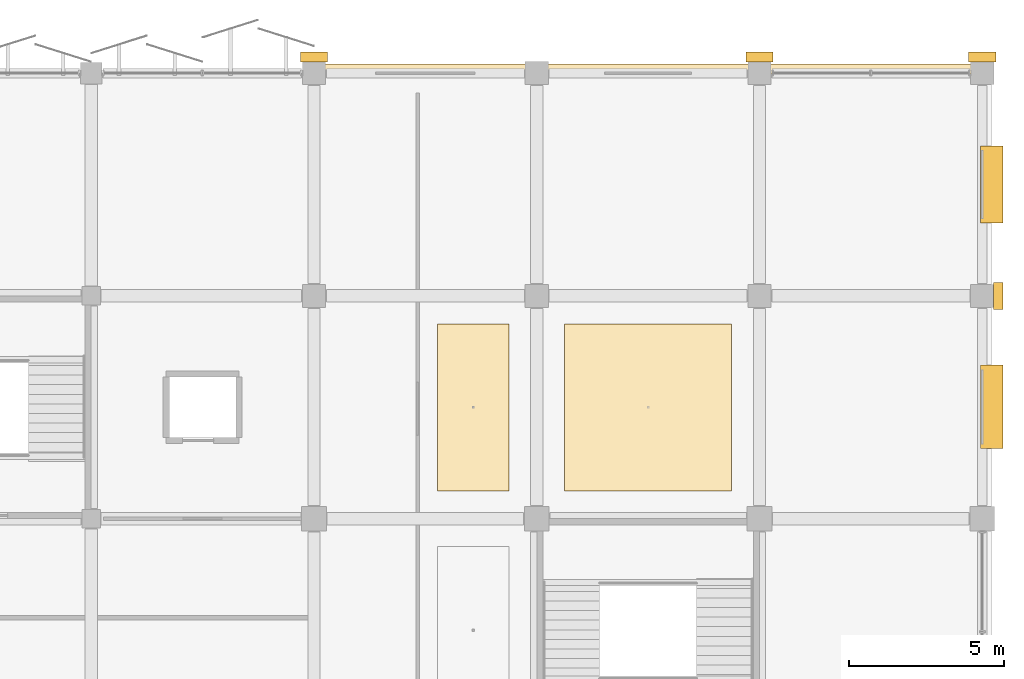
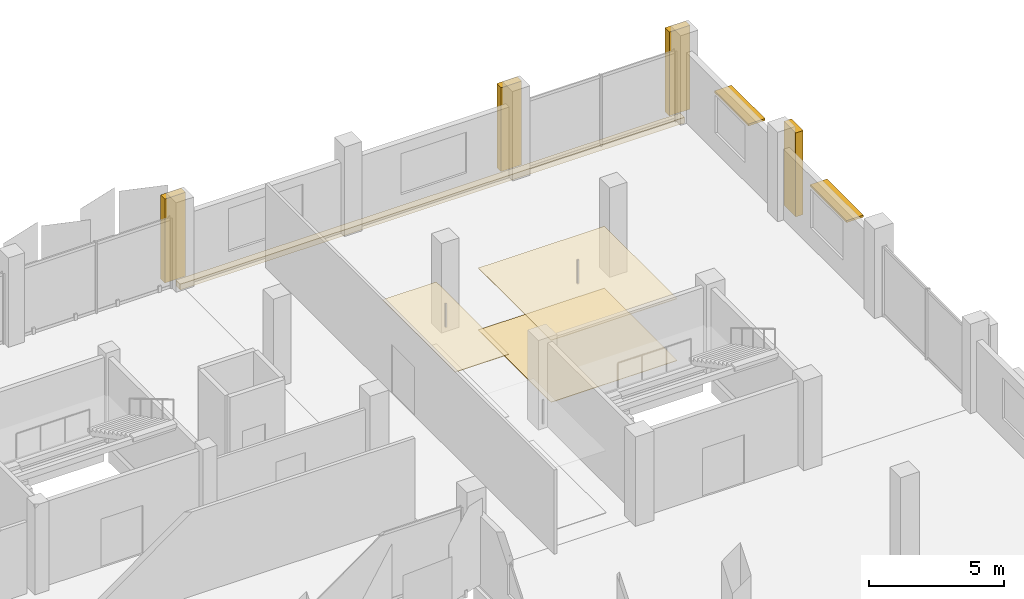
# One storey, part 107 of 107: 8 coverings, 2 shading devices.
"""IFC4 building model written with IfcOpenShell, lengths in metres."""

import ifcopenshell
import ifcopenshell.guid

model = None  # the IFC model being written
_history = None  # IfcOwnerHistory: only IFC2X3 demands one
_inside = {}  # id of a spatial element -> (the spatial element, [elements in it])
_under = {}  # id of a project, library or spatial element -> (it, [spatial elements below it])
_declared = {}  # id of a project -> (the project, [libraries it declares])
_typed = {}  # id of a type object -> (the type object, [elements of that type])
_made_of = {}  # id of a material, layer set ... -> (it, [elements and type objects made of it])


def new_model(schema):
    """Start an empty IFC model of exactly this schema.

    Asked for "IFC4X3", IfcOpenShell would pick the latest addendum, in which some entities
    have other attributes; the version numbers below select the first issue.
    IFC2X3 requires an IfcOwnerHistory on every rooted entity: one is made here for all.
    """
    global model, _history
    if schema == "IFC4X3":
        model = ifcopenshell.file(schema_version=(4, 3, 0, 0))
    else:
        model = ifcopenshell.file(schema=schema)
    _inside.clear()
    _under.clear()
    _declared.clear()
    _typed.clear()
    _made_of.clear()
    _history = None
    if model.schema == "IFC2X3":
        org = make("IfcOrganization", Name="unknown")
        user = make(
            "IfcPersonAndOrganization",
            ThePerson=make("IfcPerson", FamilyName="unknown"),
            TheOrganization=org,
        )
        app = make(
            "IfcApplication",
            ApplicationDeveloper=org,
            Version="unknown",
            ApplicationFullName="unknown",
            ApplicationIdentifier="unknown",
        )
        _history = make(
            "IfcOwnerHistory",
            OwningUser=user,
            OwningApplication=app,
            ChangeAction="ADDED",
            CreationDate=0,
        )
    return model


def make(cls, **values):
    """One entity of the class cls with the attributes given. An attribute that is None is left unset."""
    return model.create_entity(
        cls, **{name: value for name, value in values.items() if value is not None}
    )


def rooted(cls, **values):
    """An entity with a GlobalId (a new one), such as an element, a storey or a relation."""
    return make(cls, GlobalId=ifcopenshell.guid.new(), OwnerHistory=_history, **values)


def si_unit(unit_type, name, prefix=None):
    """IfcSIUnit, for example si_unit("LENGTHUNIT", "METRE", prefix="MILLI")."""
    return make("IfcSIUnit", UnitType=unit_type, Prefix=prefix, Name=name)


def assignment(units):
    """IfcUnitAssignment: the units of a project."""
    return None if units is None else make("IfcUnitAssignment", Units=units)


def point(xyz):
    """IfcCartesianPoint."""
    return None if xyz is None else make("IfcCartesianPoint", Coordinates=xyz)


def direction(xyz):
    """IfcDirection."""
    return None if xyz is None else make("IfcDirection", DirectionRatios=xyz)


def frame(location, z_axis=None, x_axis=None):
    """IfcAxis2Placement3D, a coordinate frame: its origin and axes. An axis left out is left unset."""
    return make(
        "IfcAxis2Placement3D",
        Location=point(location),
        Axis=direction(z_axis),
        RefDirection=direction(x_axis),
    )


def frame_2d(location, x_axis=None):
    """IfcAxis2Placement2D, a coordinate frame in the plane: its origin and x axis."""
    return make(
        "IfcAxis2Placement2D", Location=point(location), RefDirection=direction(x_axis)
    )


def origin():
    """The frame at (0, 0, 0) with its axes left unset."""
    return frame((0.0, 0.0, 0.0))


def origin_2d():
    """The frame at (0, 0) in the plane with its x axis left unset."""
    return frame_2d((0.0, 0.0))


def place(relative_to, where):
    """IfcLocalPlacement: puts the frame where relative to a parent placement (None: the world)."""
    return make(
        "IfcLocalPlacement", PlacementRelTo=relative_to, RelativePlacement=where
    )


def context(
    kind, dimensions, precision=None, world=None, true_north=None, identifier=None
):
    """IfcGeometricRepresentationContext, for example the 3D "Model" context."""
    return make(
        "IfcGeometricRepresentationContext",
        ContextIdentifier=identifier,
        ContextType=kind,
        CoordinateSpaceDimension=dimensions,
        Precision=precision,
        WorldCoordinateSystem=world,
        TrueNorth=true_north,
    )


def subcontext(parent, identifier, kind, view, scale=None):
    """IfcGeometricRepresentationSubContext, for example "Body" below "Model"."""
    return make(
        "IfcGeometricRepresentationSubContext",
        ContextIdentifier=identifier,
        ContextType=kind,
        ParentContext=parent,
        TargetScale=scale,
        TargetView=view,
    )


def project(units=None, contexts=None):
    """IfcProject with its units and contexts."""
    return rooted(
        "IfcProject",
        Name="project",
        RepresentationContexts=contexts,
        UnitsInContext=assignment(units),
    )


def spatial(cls, under=None, at=None, **own):
    """A site, building, storey or space (cls), placed at a placement, below another one or the project."""
    s = rooted(cls, ObjectPlacement=at, **own)
    if under is not None:
        _under.setdefault(under.id(), (under, []))[1].append(s)
    return s


def polyline(points):
    """IfcPolyline through the points."""
    return make("IfcPolyline", Points=[point(p) for p in points])


def profile(cls, at=None, kind="AREA", **sizes):
    """A parametric profile (cls). Its sizes go by their IFC names, for example OverallWidth=200.0."""
    return make(cls, ProfileType=kind, Position=at, **sizes)


def rectangle(**sizes):
    """IfcRectangleProfileDef."""
    return profile("IfcRectangleProfileDef", **sizes)


def outline(outer, holes=None, kind="AREA"):
    """IfcArbitraryClosedProfileDef: a profile drawn as a closed curve; with holes, ...WithVoids."""
    if holes is None:
        return make("IfcArbitraryClosedProfileDef", ProfileType=kind, OuterCurve=outer)
    return make(
        "IfcArbitraryProfileDefWithVoids",
        ProfileType=kind,
        OuterCurve=outer,
        InnerCurves=holes,
    )


def extrude(swept, where, along, depth):
    """IfcExtrudedAreaSolid: the profile swept, set in the frame where, extruded along a direction by depth."""
    return make(
        "IfcExtrudedAreaSolid",
        SweptArea=swept,
        Position=where,
        ExtrudedDirection=direction(along),
        Depth=depth,
    )


def shape(context_of_items, identifier, shape_type, items):
    """IfcShapeRepresentation: the items that make up one representation, for example the "Body"."""
    return make(
        "IfcShapeRepresentation",
        ContextOfItems=context_of_items,
        RepresentationIdentifier=identifier,
        RepresentationType=shape_type,
        Items=items,
    )


def material(Name=None, Category=None):
    """IfcMaterial."""
    return make("IfcMaterial", Name=Name, Category=Category)


def layer(
    of_material, thickness, ventilated=None, Name=None, Category=None, Priority=None
):
    """IfcMaterialLayer: one layer of a wall or slab, of a material (None: an air gap)."""
    return make(
        "IfcMaterialLayer",
        Material=of_material,
        LayerThickness=thickness,
        IsVentilated=ventilated,
        Name=Name,
        Category=Category,
        Priority=Priority,
    )


def layer_set(layers, Name=None):
    """IfcMaterialLayerSet."""
    return make("IfcMaterialLayerSet", MaterialLayers=layers, LayerSetName=Name)


def made_of(thing, what):
    """Note that an element or type object is made of a material, layer set ...; save() writes the relation."""
    if what is not None:
        _made_of.setdefault(what.id(), (what, []))[1].append(thing)
    return thing


def type_object(cls, material=None, **own):
    """A type object (cls), such as IfcWallType, which elements share."""
    return made_of(rooted(cls, **own), material)


def element(
    cls,
    number,
    at=None,
    inside=None,
    cuts=None,
    type_object=None,
    material=None,
    context=None,
    identifier="Body",
    shape_type=None,
    held_by="IfcProductDefinitionShape",
    body=None,
    shapes=None,
    **own,
):
    """One element of the class cls, such as IfcWall. Its Tag is "e" and its number.

    at: its placement. inside: the storey or other place that contains it. cuts: it is an
    opening in that element (IfcRelVoidsElement). A single representation is given by context,
    identifier, shape_type and body (its items); several are given by shapes. held_by: the class
    of the entity that holds the representations. save() writes the other relations.
    """
    e = rooted(cls, Tag="e%d" % number, ObjectPlacement=at, **own)
    if body is not None:
        shapes = [shape(context, identifier, shape_type, body)]
    if shapes is not None:
        e.Representation = make(held_by, Representations=shapes)
    if inside is not None:
        _inside.setdefault(inside.id(), (inside, []))[1].append(e)
    if cuts is not None:
        rooted(
            "IfcRelVoidsElement", RelatingBuildingElement=cuts, RelatedOpeningElement=e
        )
    if type_object is not None:
        _typed.setdefault(type_object.id(), (type_object, []))[1].append(e)
    return made_of(e, material)


def aggregate(whole, parts):
    """IfcRelAggregates: a whole, such as a stair, and the parts it consists of."""
    return rooted("IfcRelAggregates", RelatingObject=whole, RelatedObjects=parts)


def save(model, path):
    """Write the relations noted so far, then the file.

    IfcRelAggregates (storeys below a building ...), IfcRelContainedInSpatialStructure (elements
    in a storey), IfcRelDefinesByType, IfcRelAssociatesMaterial and IfcRelDeclares: one each for
    every whole, place, type object, material and project.
    """
    for whole, parts in _under.values():
        aggregate(whole, parts)
    for where, things in _inside.values():
        rooted(
            "IfcRelContainedInSpatialStructure",
            RelatedElements=things,
            RelatingStructure=where,
        )
    for kind, things in _typed.values():
        rooted("IfcRelDefinesByType", RelatedObjects=things, RelatingType=kind)
    for what, things in _made_of.values():
        rooted("IfcRelAssociatesMaterial", RelatedObjects=things, RelatingMaterial=what)
    for by, libraries in _declared.values():
        rooted("IfcRelDeclares", RelatingContext=by, RelatedDefinitions=libraries)
    model.write(path)


model = new_model("IFC4")

# Units and contexts
model_context = context("Model", 3, precision=1e-05, world=origin(), true_north=direction((0.0, 1.0)))
body_context = subcontext(model_context, "Body", "Model", "MODEL_VIEW")
ifc_project = project(units=[si_unit("LENGTHUNIT", "METRE"), si_unit("AREAUNIT", "SQUARE_METRE"), si_unit("VOLUMEUNIT", "CUBIC_METRE"), si_unit("PLANEANGLEUNIT", "RADIAN"), si_unit("MASSUNIT", "GRAM", prefix="KILO")], contexts=[model_context])

# Site, building, storey
site_placement = place(None, origin())
site = spatial("IfcSite", under=ifc_project, at=site_placement, CompositionType="ELEMENT")
building_placement = place(site_placement, origin())
building = spatial("IfcBuilding", under=site, at=building_placement, Name="Kangsadwip Square Police Headquarters", CompositionType="ELEMENT")
storey_placement = place(building_placement, frame((0.0, 0.0, 5.39990234375)))
storey = spatial("IfcBuildingStorey", under=building, at=storey_placement, Name="L01", CompositionType="ELEMENT", Elevation=5.39990234375)

# Coverings
ifc_material_1 = material(Name="Seamless anti-static epoxy and polished Kota stone interior flooring", Category="masonry")
ifc_layer_1 = layer(ifc_material_1, 0.02001953125)
ifc_layer_set_1 = layer_set([ifc_layer_1], Name="Seamless anti-static epoxy and polished Kota stone interior flooring")
covering_type_1 = type_object("IfcCoveringType", Name="InteriorStoneEpoxyFloor", PredefinedType="FLOORING", material=ifc_layer_set_1)
covering_1_placement = place(storey_placement, origin())
element("IfcCovering", 1, at=covering_1_placement, inside=storey, type_object=covering_type_1, Name="Interior Floor Finish L01-057", PredefinedType="FLOORING", context=body_context, shape_type="SweptSolid", body=[
    extrude(outline(polyline([(152.10009765625, 101.699951171875), (157.5, 101.699951171875), (157.5, 107.10009765625), (152.10009765625, 107.10009765625), (152.10009765625, 101.699951171875)])), origin(), (0.0, 0.0, 1.0), 0.02001953125),
])
ifc_material_2 = material(Name="Perforated mineral-fibre and acoustic baffle suspended ceiling", Category="wood")
ifc_layer_2 = layer(ifc_material_2, 0.02490234375)
ifc_layer_set_2 = layer_set([ifc_layer_2], Name="Perforated mineral-fibre and acoustic baffle suspended ceiling")
covering_type_2 = type_object("IfcCoveringType", Name="SuspendedAcousticCeiling", PredefinedType="CEILING", material=ifc_layer_set_2)
covering_2_placement = place(storey_placement, frame((0.0, 0.0, 2.800048828125)))
element("IfcCovering", 2, at=covering_2_placement, inside=storey, type_object=covering_type_2, Name="Suspended Acoustic Ceiling L01-056", PredefinedType="CEILING", context=body_context, shape_type="SweptSolid", body=[
    extrude(outline(polyline([(148.0, 101.699951171875), (150.300048828125, 101.699951171875), (150.300048828125, 107.10009765625), (148.0, 107.10009765625), (148.0, 101.699951171875)])), origin(), (0.0, 0.0, 1.0), 0.025146484375),
])
covering_3_placement = place(storey_placement, frame((0.0, 0.0, 2.800048828125)))
element("IfcCovering", 3, at=covering_3_placement, inside=storey, type_object=covering_type_2, Name="Suspended Acoustic Ceiling L01-057", PredefinedType="CEILING", context=body_context, shape_type="SweptSolid", body=[
    extrude(outline(polyline([(152.10009765625, 101.699951171875), (157.5, 101.699951171875), (157.5, 107.10009765625), (152.10009765625, 107.10009765625), (152.10009765625, 101.699951171875)])), origin(), (0.0, 0.0, 1.0), 0.025146484375),
])
ifc_material_3 = material(Name="Glazed architectural terracotta masonry rainscreen", Category="masonry")
ifc_layer_3 = layer(ifc_material_3, 0.034912109375)
ifc_layer_set_3 = layer_set([ifc_layer_3], Name="Glazed architectural terracotta masonry rainscreen")
covering_type_3 = type_object("IfcCoveringType", Name="TerracottaPierCladding", PredefinedType="CLADDING", material=ifc_layer_set_3)
covering_4_placement = place(storey_placement, origin())
element("IfcCovering", 4, at=covering_4_placement, inside=storey, type_object=covering_type_3, Name="Terracotta Pier Cladding L01-045", PredefinedType="CLADDING", context=body_context, shape_type="SweptSolid", body=[
    extrude(outline(polyline([(165.955078125, 107.56005859375), (166.27490234375, 107.56005859375), (166.27490234375, 108.43994140625), (165.955078125, 108.43994140625), (165.955078125, 107.56005859375)])), origin(), (0.0, 0.0, 1.0), 3.800048828125),
])
covering_5_placement = place(storey_placement, origin())
element("IfcCovering", 5, at=covering_5_placement, inside=storey, type_object=covering_type_3, Name="Terracotta Pier Cladding L01-049", PredefinedType="CLADDING", context=body_context, shape_type="SweptSolid", body=[
    extrude(outline(polyline([(143.56005859375, 115.554931640625), (144.43994140625, 115.554931640625), (144.43994140625, 115.875), (143.56005859375, 115.875), (143.56005859375, 115.554931640625)])), origin(), (0.0, 0.0, 1.0), 3.800048828125),
])
covering_6_placement = place(storey_placement, origin())
element("IfcCovering", 6, at=covering_6_placement, inside=storey, type_object=covering_type_3, Name="Terracotta Pier Cladding L01-050", PredefinedType="CLADDING", context=body_context, shape_type="SweptSolid", body=[
    extrude(outline(polyline([(157.9599609375, 115.554931640625), (158.840087890625, 115.554931640625), (158.840087890625, 115.875), (157.9599609375, 115.875), (157.9599609375, 115.554931640625)])), origin(), (0.0, 0.0, 1.0), 3.800048828125),
])
covering_7_placement = place(storey_placement, origin())
element("IfcCovering", 7, at=covering_7_placement, inside=storey, type_object=covering_type_3, Name="Terracotta Pier Cladding L01-051", PredefinedType="CLADDING", context=body_context, shape_type="SweptSolid", body=[
    extrude(outline(polyline([(165.159912109375, 115.554931640625), (166.0400390625, 115.554931640625), (166.0400390625, 115.875), (165.159912109375, 115.875), (165.159912109375, 115.554931640625)])), origin(), (0.0, 0.0, 1.0), 3.800048828125),
])
covering_8_placement = place(storey_placement, frame((0.0, 0.0, -0.239990234375)))
element("IfcCovering", 8, at=covering_8_placement, inside=storey, type_object=covering_type_3, Name="Terracotta Cornice Belt L01-161", PredefinedType="CLADDING", context=body_context, shape_type="SweptSolid", body=[
    extrude(outline(polyline([(144.0, 115.179931640625), (165.60009765625, 115.179931640625), (165.60009765625, 115.5), (144.0, 115.5), (144.0, 115.179931640625)])), origin(), (0.0, 0.0, 1.0), 0.260009765625),
])

# Shading devices
ifc_material_4 = material(Name="Architectural terracotta and anodised aluminium AW-6061-T6", Category="aluminium")
shading_device_type = type_object("IfcShadingDeviceType", Name="TerracottaChhajjaAwning", PredefinedType="AWNING", material=ifc_material_4)
shading_device_1_placement = place(storey_placement, frame((165.89990234375, 104.41259765625, 2.615234375), z_axis=(0.0, 0.0, 1.0), x_axis=(0.0, 1.0, 0.0)))
element("IfcShadingDevice", 9, at=shading_device_1_placement, inside=storey, type_object=shading_device_type, Name="Terracotta Chhajja Hood CHJ-L01-0099", PredefinedType="AWNING", context=body_context, shape_type="SweptSolid", body=[
    extrude(rectangle(XDim=2.699951171875, YDim=0.719970703125, at=origin_2d()), origin(), (0.0, 0.0, 1.0), 0.090087890625),
])
shading_device_2_placement = place(storey_placement, frame((165.89990234375, 111.60009765625, 2.56494140625), z_axis=(0.0, 0.0, 1.0), x_axis=(0.0, 1.0, 0.0)))
element("IfcShadingDevice", 10, at=shading_device_2_placement, inside=storey, type_object=shading_device_type, Name="Terracotta Chhajja Hood CHJ-L01-0100", PredefinedType="AWNING", context=body_context, shape_type="SweptSolid", body=[
    extrude(rectangle(XDim=2.5, YDim=0.719970703125, at=origin_2d()), origin(), (0.0, 0.0, 1.0), 0.090087890625),
])

save(model, "model.ifc")
